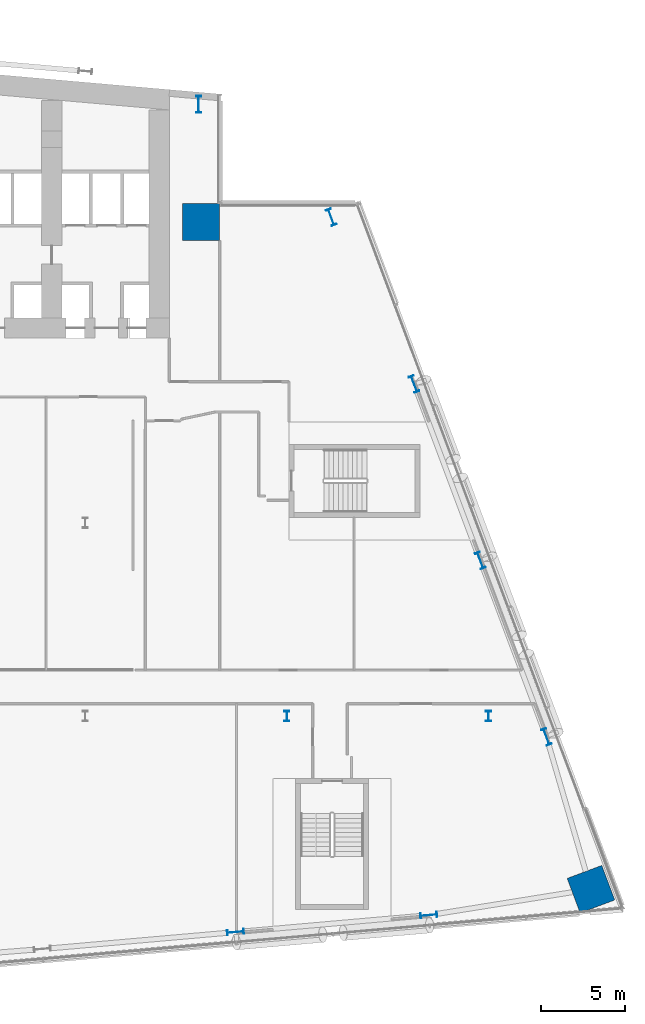
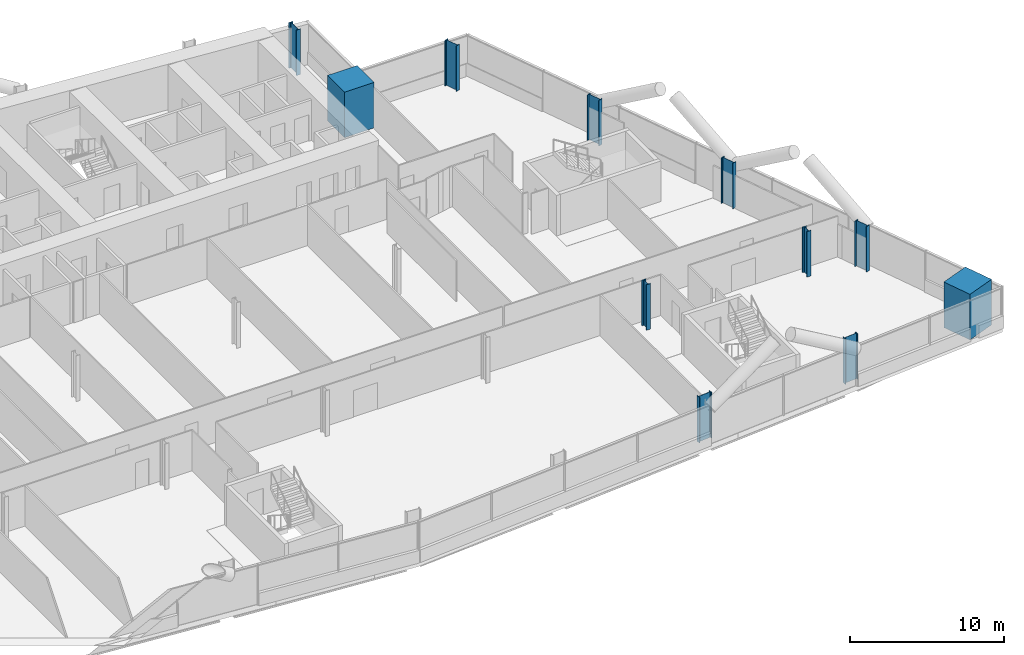
# One storey, part 3 of 27: 11 columns.
"""IFC4 building model written with IfcOpenShell, lengths in metres."""

from ifc_helpers import new_model, si_unit, direction, frame, origin, origin_2d, place, context, subcontext, project, spatial, rectangle, i_section, extrude, material, material_profile, profile_set, type_object, element, save


model = new_model("IFC4")

# Units and contexts
model_context = context("Model", 3, precision=1e-05, world=origin(), true_north=direction((0.0, 1.0)))
body_context = subcontext(model_context, "Body", "Model", "MODEL_VIEW")
ifc_project = project(units=[si_unit("LENGTHUNIT", "METRE"), si_unit("AREAUNIT", "SQUARE_METRE"), si_unit("VOLUMEUNIT", "CUBIC_METRE"), si_unit("PLANEANGLEUNIT", "RADIAN"), si_unit("MASSUNIT", "GRAM", prefix="KILO")], contexts=[model_context])

# Site, building, storey
site_placement = place(None, origin())
site = spatial("IfcSite", under=ifc_project, at=site_placement, CompositionType="ELEMENT")
building_placement = place(site_placement, origin())
building = spatial("IfcBuilding", under=site, at=building_placement, Name="Wharfspan Tower", CompositionType="ELEMENT")
storey_placement = place(building_placement, frame((0.0, 0.0, 45.100098)))
storey = spatial("IfcBuildingStorey", under=building, at=storey_placement, Name="L07", CompositionType="ELEMENT", Elevation=45.100098)

# Columns
ifc_material_1 = material(Name="Steel S355J2", Category="steel")
ifc_material_profile_1 = material_profile(ifc_material_1, i_section(OverallWidth=0.302002, OverallDepth=1.008057, WebThickness=0.020996, FlangeThickness=0.040039, FilletRadius=0.030029, at=origin_2d()))
ifc_profile_set_1 = profile_set([ifc_material_profile_1], Name="Steel S355J2")
column_type_1 = type_object("IfcColumnType", Name="Column HEM 1000", PredefinedType="COLUMN", material=ifc_profile_set_1)
for number, where, z_axis, x_axis, name in (
    (1, (68.942383, -1.354736, 0.0), (0.0, 0.0, 1.0), (0.087156, -0.996198, 0.0), "Perimeter column PS2.2 L07"),
    (2, (80.442383, -0.348633, 0.0), (0.0, 0.0, 1.0), (0.087156, -0.996198, 0.0), "Perimeter column PS2.3 L07"),
    (3, (87.44458, 10.268311, 0.0), (0.0, 0.0, 1.0), (0.936328, 0.351123, 0.0), "Perimeter column PE.1 L07"),
    (4, (83.50708, 20.768311, 0.0), (0.0, 0.0, 1.0), (0.936328, 0.351123, 0.0), "Perimeter column PE.2 L07"),
    (5, (79.56958, 31.268311, 0.0), (0.0, 0.0, 1.0), (0.936328, 0.351123, 0.0), "Perimeter column PE.3 L07"),
    (6, (74.634277, 41.196289, 0.0), (0.0, 0.0, 1.0), (0.936328, 0.351123, 0.0), "Perimeter column PE.4 L07"),
    (7, (66.747803, 47.915283, 0.0), (0.0, 0.0, 1.0), (1.0, 0.0, 0.0), "Perimeter column PNRE-V.1 L07"),
):
    element("IfcColumn", number, at=place(storey_placement, frame(where, z_axis=z_axis, x_axis=x_axis)), inside=storey, type_object=column_type_1, Name=name, PredefinedType="COLUMN", context=body_context, shape_type="SweptSolid", body=[
        extrude(i_section(OverallWidth=0.302002, OverallDepth=1.008057, WebThickness=0.020996, FlangeThickness=0.040039, FilletRadius=0.030029, at=origin_2d()), origin(), (0.0, 0.0, 1.0), 3.599854),
    ])
ifc_material_profile_2 = material_profile(ifc_material_1, i_section(OverallWidth=0.304932, OverallDepth=0.620117, WebThickness=0.020996, FlangeThickness=0.040039, FilletRadius=0.0271, at=origin_2d()))
ifc_profile_set_2 = profile_set([ifc_material_profile_2], Name="Steel S355J2")
column_type_2 = type_object("IfcColumnType", Name="Column HEM 600", PredefinedType="COLUMN", material=ifc_profile_set_2)
for number, where, z_axis, x_axis, name in (
    (8, (72.0, 11.5, 0.0), (0.0, 0.0, 1.0), (1.0, 0.0, 0.0), "Interior column I.1.6 L07"),
    (9, (84.0, 11.5, 0.0), (0.0, 0.0, 1.0), (1.0, 0.0, 0.0), "Interior column I.1.7 L07"),
):
    element("IfcColumn", number, at=place(storey_placement, frame(where, z_axis=z_axis, x_axis=x_axis)), inside=storey, type_object=column_type_2, Name=name, PredefinedType="COLUMN", context=body_context, shape_type="SweptSolid", body=[
        extrude(i_section(OverallWidth=0.304932, OverallDepth=0.620117, WebThickness=0.020996, FlangeThickness=0.040039, FilletRadius=0.0271, at=origin_2d()), origin(), (0.0, 0.0, 1.0), 3.599854),
    ])
ifc_material_2 = material(Name="Concrete C70/85", Category="concrete")
ifc_material_profile_3 = material_profile(ifc_material_2, rectangle(XDim=2.199951, YDim=2.199951, at=origin_2d()))
ifc_profile_set_3 = profile_set([ifc_material_profile_3], Name="Concrete C70/85")
column_type_3 = type_object("IfcColumnType", Name="Mega column 2200 C70/85", PredefinedType="COLUMN", material=ifc_profile_set_3)
for number, where, z_axis, x_axis, name in (
    (10, (66.899902, 40.899902, 0.0), (0.0, 0.0, 1.0), (1.0, 0.0, 0.0), "Mega column MC3 L07"),
    (11, (90.096436, 1.199707, 0.0), (0.0, 0.0, 1.0), (-0.351123, 0.936328, 0.0), "Mega column MC4 L07"),
):
    element("IfcColumn", number, at=place(storey_placement, frame(where, z_axis=z_axis, x_axis=x_axis)), inside=storey, type_object=column_type_3, Name=name, PredefinedType="COLUMN", context=body_context, shape_type="SweptSolid", body=[
        extrude(rectangle(XDim=2.199951, YDim=2.199951, at=origin_2d()), origin(), (0.0, 0.0, 1.0), 3.599854),
    ])

save(model, "model.ifc")
